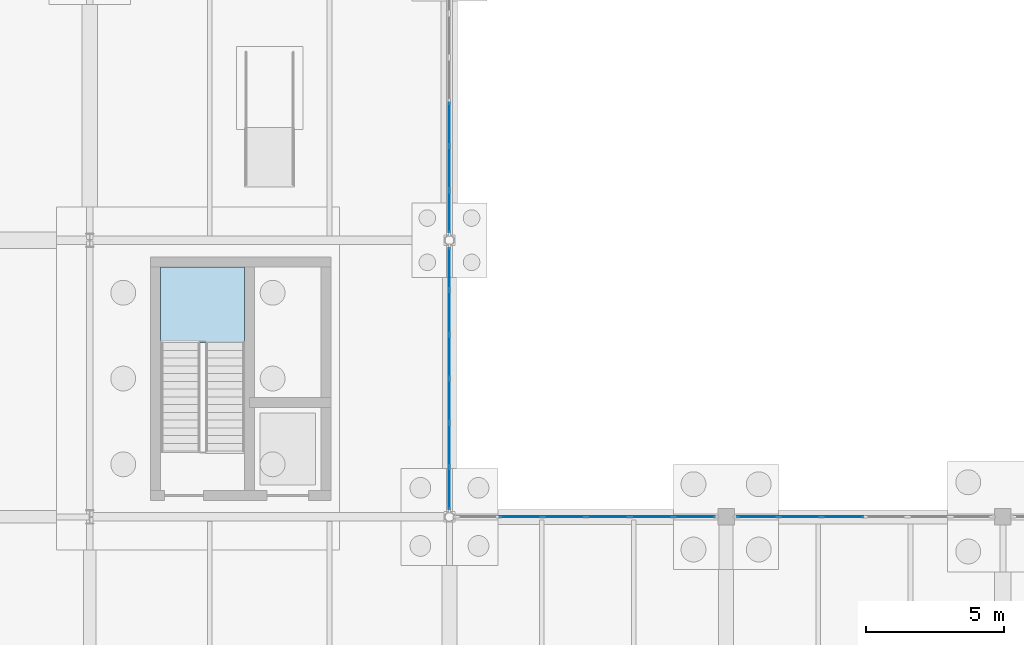
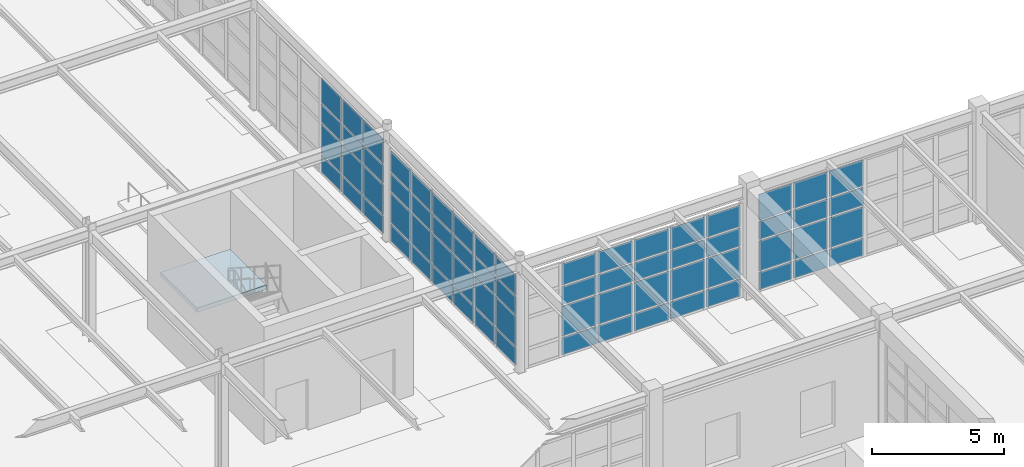
# One storey, part 96 of 145: 68 plates, 1 slab, 5 elements without a shape of their own.
"""IFC4 building model written with IfcOpenShell, lengths in metres."""

from ifc_helpers import new_model, si_unit, direction, frame, origin, origin_2d, place, context, subcontext, project, spatial, polyline, rectangle, outline, extrude, material, layer, layer_set, type_object, element, aggregate, save


model = new_model("IFC4")

# Units and contexts
model_context = context("Model", 3, precision=1e-05, world=origin(), true_north=direction((0.0, 1.0)))
body_context = subcontext(model_context, "Body", "Model", "MODEL_VIEW")
ifc_project = project(units=[si_unit("LENGTHUNIT", "METRE"), si_unit("AREAUNIT", "SQUARE_METRE"), si_unit("VOLUMEUNIT", "CUBIC_METRE"), si_unit("PLANEANGLEUNIT", "RADIAN"), si_unit("MASSUNIT", "GRAM", prefix="KILO"), si_unit("THERMODYNAMICTEMPERATUREUNIT", "KELVIN"), si_unit("POWERUNIT", "WATT")], contexts=[model_context])

# Site, building, storey
site_placement = place(None, origin())
site = spatial("IfcSite", under=ifc_project, at=site_placement, CompositionType="ELEMENT")
building_placement = place(site_placement, origin())
building = spatial("IfcBuilding", under=site, at=building_placement, Name="Korenveer Ferry Terminal", CompositionType="ELEMENT")
storey_placement = place(building_placement, origin())
storey = spatial("IfcBuildingStorey", under=building, at=storey_placement, Name="L00", CompositionType="ELEMENT", Elevation=0.0)

# Curtain wall, plates
ifc_material_1 = material(Name="Unitised bronze-and-glass curtain wall", Category="glass")
ifc_layer_1 = layer(ifc_material_1, 0.219970703125)
ifc_layer_set_1 = layer_set([ifc_layer_1], Name="Unitised bronze-and-glass curtain wall")
curtain_wall_type_1 = type_object("IfcCurtainWallType", Name="ENV-CW-12", PredefinedType="USERDEFINED", material=ifc_layer_set_1)
curtain_wall_1_placement = place(storey_placement, frame((136.207763671875, 80.0, 0.0)))
curtain_wall_1 = element("IfcCurtainWall", 1, at=curtain_wall_1_placement, inside=storey, type_object=curtain_wall_type_1, Name="Lancet curtain wall CWX-L00-X136-146-Y80-80", ObjectType="UNITISED CURTAIN WALL", PredefinedType="USERDEFINED")
ifc_material_2 = material(Name="Acoustic laminated marine glazing", Category="glass")
ifc_layer_2 = layer(ifc_material_2, 0.035888671875)
ifc_layer_set_2 = layer_set([ifc_layer_2], Name="Acoustic laminated marine glazing")
plate_type = type_object("IfcPlateType", Name="ENV-CWP-GLZ36", PredefinedType="CURTAIN_PANEL", material=ifc_layer_set_2)
plate_1_placement = place(storey_placement, frame((138.5732421875, 80.0, 0.074951171875), z_axis=(0.0, 0.0, 1.0), x_axis=(1.0, 0.0, 0.0)))
plate_1 = element("IfcPlate", 2, at=plate_1_placement, type_object=plate_type, Name="CW-12 panel 2.1", PredefinedType="CURTAIN_PANEL", context=body_context, shape_type="SweptSolid", body=[
    extrude(rectangle(XDim=1.501953125, YDim=0.035888671875, at=origin_2d()), origin(), (0.0, 0.0, 1.0), 0.78759765625),
])
plate_2_placement = place(storey_placement, frame((138.5732421875, 80.0, 0.9375), z_axis=(0.0, 0.0, 1.0), x_axis=(1.0, 0.0, 0.0)))
plate_2 = element("IfcPlate", 3, at=plate_2_placement, type_object=plate_type, Name="CW-12 panel 2.2", PredefinedType="CURTAIN_PANEL", context=body_context, shape_type="SweptSolid", body=[
    extrude(rectangle(XDim=1.501953125, YDim=0.035888671875, at=origin_2d()), origin(), (0.0, 0.0, 1.0), 1.375),
])
plate_3_placement = place(storey_placement, frame((138.5732421875, 80.0, 2.3876953125), z_axis=(0.0, 0.0, 1.0), x_axis=(1.0, 0.0, 0.0)))
plate_3 = element("IfcPlate", 4, at=plate_3_placement, type_object=plate_type, Name="CW-12 panel 2.3", PredefinedType="CURTAIN_PANEL", context=body_context, shape_type="SweptSolid", body=[
    extrude(rectangle(XDim=1.501953125, YDim=0.035888671875, at=origin_2d()), origin(), (0.0, 0.0, 1.0), 0.824951171875),
])
plate_4_placement = place(storey_placement, frame((138.5732421875, 80.0, 3.28759765625), z_axis=(0.0, 0.0, 1.0), x_axis=(1.0, 0.0, 0.0)))
plate_4 = element("IfcPlate", 5, at=plate_4_placement, type_object=plate_type, Name="CW-12 panel 2.4", PredefinedType="CURTAIN_PANEL", context=body_context, shape_type="SweptSolid", body=[
    extrude(rectangle(XDim=1.501953125, YDim=0.035888671875, at=origin_2d()), origin(), (0.0, 0.0, 1.0), 0.9775390625),
])
plate_5_placement = place(storey_placement, frame((140.150390625, 80.0, 0.074951171875), z_axis=(0.0, 0.0, 1.0), x_axis=(1.0, 0.0, 0.0)))
plate_5 = element("IfcPlate", 6, at=plate_5_placement, type_object=plate_type, Name="CW-12 panel 3.1", PredefinedType="CURTAIN_PANEL", context=body_context, shape_type="SweptSolid", body=[
    extrude(rectangle(XDim=1.501953125, YDim=0.035888671875, at=origin_2d()), origin(), (0.0, 0.0, 1.0), 0.78759765625),
])
plate_6_placement = place(storey_placement, frame((140.150390625, 80.0, 0.9375), z_axis=(0.0, 0.0, 1.0), x_axis=(1.0, 0.0, 0.0)))
plate_6 = element("IfcPlate", 7, at=plate_6_placement, type_object=plate_type, Name="CW-12 panel 3.2", PredefinedType="CURTAIN_PANEL", context=body_context, shape_type="SweptSolid", body=[
    extrude(rectangle(XDim=1.501953125, YDim=0.035888671875, at=origin_2d()), origin(), (0.0, 0.0, 1.0), 1.375),
])
plate_7_placement = place(storey_placement, frame((140.150390625, 80.0, 2.3876953125), z_axis=(0.0, 0.0, 1.0), x_axis=(1.0, 0.0, 0.0)))
plate_7 = element("IfcPlate", 8, at=plate_7_placement, type_object=plate_type, Name="CW-12 panel 3.3", PredefinedType="CURTAIN_PANEL", context=body_context, shape_type="SweptSolid", body=[
    extrude(rectangle(XDim=1.501953125, YDim=0.035888671875, at=origin_2d()), origin(), (0.0, 0.0, 1.0), 0.824951171875),
])
plate_8_placement = place(storey_placement, frame((140.150390625, 80.0, 3.28759765625), z_axis=(0.0, 0.0, 1.0), x_axis=(1.0, 0.0, 0.0)))
plate_8 = element("IfcPlate", 9, at=plate_8_placement, type_object=plate_type, Name="CW-12 panel 3.4", PredefinedType="CURTAIN_PANEL", context=body_context, shape_type="SweptSolid", body=[
    extrude(rectangle(XDim=1.501953125, YDim=0.035888671875, at=origin_2d()), origin(), (0.0, 0.0, 1.0), 0.9775390625),
])
plate_9_placement = place(storey_placement, frame((141.727294921875, 80.0, 0.074951171875), z_axis=(0.0, 0.0, 1.0), x_axis=(1.0, 0.0, 0.0)))
plate_9 = element("IfcPlate", 10, at=plate_9_placement, type_object=plate_type, Name="CW-12 panel 4.1", PredefinedType="CURTAIN_PANEL", context=body_context, shape_type="SweptSolid", body=[
    extrude(rectangle(XDim=1.501953125, YDim=0.035888671875, at=origin_2d()), origin(), (0.0, 0.0, 1.0), 0.78759765625),
])
plate_10_placement = place(storey_placement, frame((141.727294921875, 80.0, 0.9375), z_axis=(0.0, 0.0, 1.0), x_axis=(1.0, 0.0, 0.0)))
plate_10 = element("IfcPlate", 11, at=plate_10_placement, type_object=plate_type, Name="CW-12 panel 4.2", PredefinedType="CURTAIN_PANEL", context=body_context, shape_type="SweptSolid", body=[
    extrude(rectangle(XDim=1.501953125, YDim=0.035888671875, at=origin_2d()), origin(), (0.0, 0.0, 1.0), 1.375),
])
plate_11_placement = place(storey_placement, frame((141.727294921875, 80.0, 2.3876953125), z_axis=(0.0, 0.0, 1.0), x_axis=(1.0, 0.0, 0.0)))
plate_11 = element("IfcPlate", 12, at=plate_11_placement, type_object=plate_type, Name="CW-12 panel 4.3", PredefinedType="CURTAIN_PANEL", context=body_context, shape_type="SweptSolid", body=[
    extrude(rectangle(XDim=1.501953125, YDim=0.035888671875, at=origin_2d()), origin(), (0.0, 0.0, 1.0), 0.824951171875),
])
plate_12_placement = place(storey_placement, frame((141.727294921875, 80.0, 3.28759765625), z_axis=(0.0, 0.0, 1.0), x_axis=(1.0, 0.0, 0.0)))
plate_12 = element("IfcPlate", 13, at=plate_12_placement, type_object=plate_type, Name="CW-12 panel 4.4", PredefinedType="CURTAIN_PANEL", context=body_context, shape_type="SweptSolid", body=[
    extrude(rectangle(XDim=1.501953125, YDim=0.035888671875, at=origin_2d()), origin(), (0.0, 0.0, 1.0), 0.9775390625),
])
plate_13_placement = place(storey_placement, frame((143.304443359375, 80.0, 0.074951171875), z_axis=(0.0, 0.0, 1.0), x_axis=(1.0, 0.0, 0.0)))
plate_13 = element("IfcPlate", 14, at=plate_13_placement, type_object=plate_type, Name="CW-12 panel 5.1", PredefinedType="CURTAIN_PANEL", context=body_context, shape_type="SweptSolid", body=[
    extrude(rectangle(XDim=1.501953125, YDim=0.035888671875, at=origin_2d()), origin(), (0.0, 0.0, 1.0), 0.78759765625),
])
plate_14_placement = place(storey_placement, frame((143.304443359375, 80.0, 0.9375), z_axis=(0.0, 0.0, 1.0), x_axis=(1.0, 0.0, 0.0)))
plate_14 = element("IfcPlate", 15, at=plate_14_placement, type_object=plate_type, Name="CW-12 panel 5.2", PredefinedType="CURTAIN_PANEL", context=body_context, shape_type="SweptSolid", body=[
    extrude(rectangle(XDim=1.501953125, YDim=0.035888671875, at=origin_2d()), origin(), (0.0, 0.0, 1.0), 1.375),
])
plate_15_placement = place(storey_placement, frame((143.304443359375, 80.0, 2.3876953125), z_axis=(0.0, 0.0, 1.0), x_axis=(1.0, 0.0, 0.0)))
plate_15 = element("IfcPlate", 16, at=plate_15_placement, type_object=plate_type, Name="CW-12 panel 5.3", PredefinedType="CURTAIN_PANEL", context=body_context, shape_type="SweptSolid", body=[
    extrude(rectangle(XDim=1.501953125, YDim=0.035888671875, at=origin_2d()), origin(), (0.0, 0.0, 1.0), 0.824951171875),
])
plate_16_placement = place(storey_placement, frame((143.304443359375, 80.0, 3.28759765625), z_axis=(0.0, 0.0, 1.0), x_axis=(1.0, 0.0, 0.0)))
plate_16 = element("IfcPlate", 17, at=plate_16_placement, type_object=plate_type, Name="CW-12 panel 5.4", PredefinedType="CURTAIN_PANEL", context=body_context, shape_type="SweptSolid", body=[
    extrude(rectangle(XDim=1.501953125, YDim=0.035888671875, at=origin_2d()), origin(), (0.0, 0.0, 1.0), 0.9775390625),
])
plate_17_placement = place(storey_placement, frame((144.86279296875, 80.0, 0.074951171875), z_axis=(0.0, 0.0, 1.0), x_axis=(1.0, 0.0, 0.0)))
plate_17 = element("IfcPlate", 18, at=plate_17_placement, type_object=plate_type, Name="CW-12 panel 6.1", PredefinedType="CURTAIN_PANEL", context=body_context, shape_type="SweptSolid", body=[
    extrude(rectangle(XDim=1.464599609375, YDim=0.035888671875, at=origin_2d()), origin(), (0.0, 0.0, 1.0), 0.78759765625),
])
plate_18_placement = place(storey_placement, frame((144.86279296875, 80.0, 0.9375), z_axis=(0.0, 0.0, 1.0), x_axis=(1.0, 0.0, 0.0)))
plate_18 = element("IfcPlate", 19, at=plate_18_placement, type_object=plate_type, Name="CW-12 panel 6.2", PredefinedType="CURTAIN_PANEL", context=body_context, shape_type="SweptSolid", body=[
    extrude(rectangle(XDim=1.464599609375, YDim=0.035888671875, at=origin_2d()), origin(), (0.0, 0.0, 1.0), 1.375),
])
plate_19_placement = place(storey_placement, frame((144.86279296875, 80.0, 2.3876953125), z_axis=(0.0, 0.0, 1.0), x_axis=(1.0, 0.0, 0.0)))
plate_19 = element("IfcPlate", 20, at=plate_19_placement, type_object=plate_type, Name="CW-12 panel 6.3", PredefinedType="CURTAIN_PANEL", context=body_context, shape_type="SweptSolid", body=[
    extrude(rectangle(XDim=1.464599609375, YDim=0.035888671875, at=origin_2d()), origin(), (0.0, 0.0, 1.0), 0.824951171875),
])
plate_20_placement = place(storey_placement, frame((144.86279296875, 80.0, 3.28759765625), z_axis=(0.0, 0.0, 1.0), x_axis=(1.0, 0.0, 0.0)))
plate_20 = element("IfcPlate", 21, at=plate_20_placement, type_object=plate_type, Name="CW-12 panel 6.4", PredefinedType="CURTAIN_PANEL", context=body_context, shape_type="SweptSolid", body=[
    extrude(rectangle(XDim=1.464599609375, YDim=0.035888671875, at=origin_2d()), origin(), (0.0, 0.0, 1.0), 0.9775390625),
])
aggregate(curtain_wall_1, [plate_1, plate_2, plate_3, plate_4, plate_5, plate_6, plate_7, plate_8, plate_9, plate_10, plate_11, plate_12, plate_13, plate_14, plate_15, plate_16, plate_17, plate_18, plate_19, plate_20])

ifc_layer_3 = layer(ifc_material_1, 0.219970703125)
ifc_layer_set_3 = layer_set([ifc_layer_3], Name="Unitised bronze-and-glass curtain wall")
curtain_wall_type_2 = type_object("IfcCurtainWallType", Name="ENV-CW-10", PredefinedType="USERDEFINED", material=ifc_layer_set_3)
curtain_wall_2_placement = place(storey_placement, frame((146.330078125, 80.0, 0.0)))
curtain_wall_2 = element("IfcCurtainWall", 22, at=curtain_wall_2_placement, inside=storey, type_object=curtain_wall_type_2, Name="Lancet curtain wall CWX-L00-X146-156-Y80-80", ObjectType="UNITISED CURTAIN WALL", PredefinedType="USERDEFINED")
plate_21_placement = place(storey_placement, frame((147.127197265625, 80.0, 0.074951171875), z_axis=(0.0, 0.0, 1.0), x_axis=(1.0, 0.0, 0.0)))
plate_21 = element("IfcPlate", 23, at=plate_21_placement, type_object=plate_type, Name="CW-10 panel 1.1", PredefinedType="CURTAIN_PANEL", context=body_context, shape_type="SweptSolid", body=[
    extrude(rectangle(XDim=1.444091796875, YDim=0.035888671875, at=origin_2d()), origin(), (0.0, 0.0, 1.0), 0.78759765625),
])
plate_22_placement = place(storey_placement, frame((147.127197265625, 80.0, 0.9375), z_axis=(0.0, 0.0, 1.0), x_axis=(1.0, 0.0, 0.0)))
plate_22 = element("IfcPlate", 24, at=plate_22_placement, type_object=plate_type, Name="CW-10 panel 1.2", PredefinedType="CURTAIN_PANEL", context=body_context, shape_type="SweptSolid", body=[
    extrude(rectangle(XDim=1.444091796875, YDim=0.035888671875, at=origin_2d()), origin(), (0.0, 0.0, 1.0), 1.375),
])
plate_23_placement = place(storey_placement, frame((147.127197265625, 80.0, 2.3876953125), z_axis=(0.0, 0.0, 1.0), x_axis=(1.0, 0.0, 0.0)))
plate_23 = element("IfcPlate", 25, at=plate_23_placement, type_object=plate_type, Name="CW-10 panel 1.3", PredefinedType="CURTAIN_PANEL", context=body_context, shape_type="SweptSolid", body=[
    extrude(rectangle(XDim=1.444091796875, YDim=0.035888671875, at=origin_2d()), origin(), (0.0, 0.0, 1.0), 0.824951171875),
])
plate_24_placement = place(storey_placement, frame((147.127197265625, 80.0, 3.28759765625), z_axis=(0.0, 0.0, 1.0), x_axis=(1.0, 0.0, 0.0)))
plate_24 = element("IfcPlate", 26, at=plate_24_placement, type_object=plate_type, Name="CW-10 panel 1.4", PredefinedType="CURTAIN_PANEL", context=body_context, shape_type="SweptSolid", body=[
    extrude(rectangle(XDim=1.444091796875, YDim=0.035888671875, at=origin_2d()), origin(), (0.0, 0.0, 1.0), 1.177490234375),
])
plate_25_placement = place(storey_placement, frame((148.6650390625, 80.0, 0.074951171875), z_axis=(0.0, 0.0, 1.0), x_axis=(1.0, 0.0, 0.0)))
plate_25 = element("IfcPlate", 27, at=plate_25_placement, type_object=plate_type, Name="CW-10 panel 2.1", PredefinedType="CURTAIN_PANEL", context=body_context, shape_type="SweptSolid", body=[
    extrude(rectangle(XDim=1.481689453125, YDim=0.035888671875, at=origin_2d()), origin(), (0.0, 0.0, 1.0), 0.78759765625),
])
plate_26_placement = place(storey_placement, frame((148.6650390625, 80.0, 0.9375), z_axis=(0.0, 0.0, 1.0), x_axis=(1.0, 0.0, 0.0)))
plate_26 = element("IfcPlate", 28, at=plate_26_placement, type_object=plate_type, Name="CW-10 panel 2.2", PredefinedType="CURTAIN_PANEL", context=body_context, shape_type="SweptSolid", body=[
    extrude(rectangle(XDim=1.481689453125, YDim=0.035888671875, at=origin_2d()), origin(), (0.0, 0.0, 1.0), 1.375),
])
plate_27_placement = place(storey_placement, frame((148.6650390625, 80.0, 2.3876953125), z_axis=(0.0, 0.0, 1.0), x_axis=(1.0, 0.0, 0.0)))
plate_27 = element("IfcPlate", 29, at=plate_27_placement, type_object=plate_type, Name="CW-10 panel 2.3", PredefinedType="CURTAIN_PANEL", context=body_context, shape_type="SweptSolid", body=[
    extrude(rectangle(XDim=1.481689453125, YDim=0.035888671875, at=origin_2d()), origin(), (0.0, 0.0, 1.0), 0.824951171875),
])
plate_28_placement = place(storey_placement, frame((148.6650390625, 80.0, 3.28759765625), z_axis=(0.0, 0.0, 1.0), x_axis=(1.0, 0.0, 0.0)))
plate_28 = element("IfcPlate", 30, at=plate_28_placement, type_object=plate_type, Name="CW-10 panel 2.4", PredefinedType="CURTAIN_PANEL", context=body_context, shape_type="SweptSolid", body=[
    extrude(rectangle(XDim=1.481689453125, YDim=0.035888671875, at=origin_2d()), origin(), (0.0, 0.0, 1.0), 1.177490234375),
])
plate_29_placement = place(storey_placement, frame((150.2216796875, 80.0, 0.074951171875), z_axis=(0.0, 0.0, 1.0), x_axis=(1.0, 0.0, 0.0)))
plate_29 = element("IfcPlate", 31, at=plate_29_placement, type_object=plate_type, Name="CW-10 panel 3.1", PredefinedType="CURTAIN_PANEL", context=body_context, shape_type="SweptSolid", body=[
    extrude(rectangle(XDim=1.481689453125, YDim=0.035888671875, at=origin_2d()), origin(), (0.0, 0.0, 1.0), 0.78759765625),
])
plate_30_placement = place(storey_placement, frame((150.2216796875, 80.0, 0.9375), z_axis=(0.0, 0.0, 1.0), x_axis=(1.0, 0.0, 0.0)))
plate_30 = element("IfcPlate", 32, at=plate_30_placement, type_object=plate_type, Name="CW-10 panel 3.2", PredefinedType="CURTAIN_PANEL", context=body_context, shape_type="SweptSolid", body=[
    extrude(rectangle(XDim=1.481689453125, YDim=0.035888671875, at=origin_2d()), origin(), (0.0, 0.0, 1.0), 1.375),
])
plate_31_placement = place(storey_placement, frame((150.2216796875, 80.0, 2.3876953125), z_axis=(0.0, 0.0, 1.0), x_axis=(1.0, 0.0, 0.0)))
plate_31 = element("IfcPlate", 33, at=plate_31_placement, type_object=plate_type, Name="CW-10 panel 3.3", PredefinedType="CURTAIN_PANEL", context=body_context, shape_type="SweptSolid", body=[
    extrude(rectangle(XDim=1.481689453125, YDim=0.035888671875, at=origin_2d()), origin(), (0.0, 0.0, 1.0), 0.824951171875),
])
plate_32_placement = place(storey_placement, frame((150.2216796875, 80.0, 3.28759765625), z_axis=(0.0, 0.0, 1.0), x_axis=(1.0, 0.0, 0.0)))
plate_32 = element("IfcPlate", 34, at=plate_32_placement, type_object=plate_type, Name="CW-10 panel 3.4", PredefinedType="CURTAIN_PANEL", context=body_context, shape_type="SweptSolid", body=[
    extrude(rectangle(XDim=1.481689453125, YDim=0.035888671875, at=origin_2d()), origin(), (0.0, 0.0, 1.0), 1.177490234375),
])
aggregate(curtain_wall_2, [plate_21, plate_22, plate_23, plate_24, plate_25, plate_26, plate_27, plate_28, plate_29, plate_30, plate_31, plate_32])

ifc_layer_4 = layer(ifc_material_1, 0.219970703125)
ifc_layer_set_4 = layer_set([ifc_layer_4], Name="Unitised bronze-and-glass curtain wall")
curtain_wall_type_3 = type_object("IfcCurtainWallType", Name="ENV-CW-22", PredefinedType="USERDEFINED", material=ifc_layer_set_4)
curtain_wall_3_placement = place(storey_placement, frame((136.0, 89.792236328125, 0.0)))
curtain_wall_3 = element("IfcCurtainWall", 35, at=curtain_wall_3_placement, inside=storey, type_object=curtain_wall_type_3, Name="Lancet curtain wall CWX-L00-X136-136-Y80-90", ObjectType="UNITISED CURTAIN WALL", PredefinedType="USERDEFINED")
plate_33_placement = place(storey_placement, frame((136.0, 88.974853515625, 0.074951171875), z_axis=(0.0, 0.0, 1.0), x_axis=(0.0, -1.0, 0.0)))
plate_33 = element("IfcPlate", 36, at=plate_33_placement, type_object=plate_type, Name="CW-22 panel 1.1", PredefinedType="CURTAIN_PANEL", context=body_context, shape_type="SweptSolid", body=[
    extrude(rectangle(XDim=1.48486328125, YDim=0.035888671875, at=origin_2d()), origin(), (0.0, 0.0, 1.0), 0.78759765625),
])
plate_34_placement = place(storey_placement, frame((136.0, 88.974853515625, 0.9375), z_axis=(0.0, 0.0, 1.0), x_axis=(0.0, -1.0, 0.0)))
plate_34 = element("IfcPlate", 37, at=plate_34_placement, type_object=plate_type, Name="CW-22 panel 1.2", PredefinedType="CURTAIN_PANEL", context=body_context, shape_type="SweptSolid", body=[
    extrude(rectangle(XDim=1.48486328125, YDim=0.035888671875, at=origin_2d()), origin(), (0.0, 0.0, 1.0), 1.375),
])
plate_35_placement = place(storey_placement, frame((136.0, 88.974853515625, 2.3876953125), z_axis=(0.0, 0.0, 1.0), x_axis=(0.0, -1.0, 0.0)))
plate_35 = element("IfcPlate", 38, at=plate_35_placement, type_object=plate_type, Name="CW-22 panel 1.3", PredefinedType="CURTAIN_PANEL", context=body_context, shape_type="SweptSolid", body=[
    extrude(rectangle(XDim=1.48486328125, YDim=0.035888671875, at=origin_2d()), origin(), (0.0, 0.0, 1.0), 0.824951171875),
])
plate_36_placement = place(storey_placement, frame((136.0, 88.974853515625, 3.28759765625), z_axis=(0.0, 0.0, 1.0), x_axis=(0.0, -1.0, 0.0)))
plate_36 = element("IfcPlate", 39, at=plate_36_placement, type_object=plate_type, Name="CW-22 panel 1.4", PredefinedType="CURTAIN_PANEL", context=body_context, shape_type="SweptSolid", body=[
    extrude(rectangle(XDim=1.48486328125, YDim=0.035888671875, at=origin_2d()), origin(), (0.0, 0.0, 1.0), 0.927490234375),
])
plate_37_placement = place(storey_placement, frame((136.0, 87.39599609375, 0.074951171875), z_axis=(0.0, 0.0, 1.0), x_axis=(0.0, -1.0, 0.0)))
plate_37 = element("IfcPlate", 40, at=plate_37_placement, type_object=plate_type, Name="CW-22 panel 2.1", PredefinedType="CURTAIN_PANEL", context=body_context, shape_type="SweptSolid", body=[
    extrude(rectangle(XDim=1.5224609375, YDim=0.035888671875, at=origin_2d()), origin(), (0.0, 0.0, 1.0), 0.78759765625),
])
plate_38_placement = place(storey_placement, frame((136.0, 87.39599609375, 0.9375), z_axis=(0.0, 0.0, 1.0), x_axis=(0.0, -1.0, 0.0)))
plate_38 = element("IfcPlate", 41, at=plate_38_placement, type_object=plate_type, Name="CW-22 panel 2.2", PredefinedType="CURTAIN_PANEL", context=body_context, shape_type="SweptSolid", body=[
    extrude(rectangle(XDim=1.5224609375, YDim=0.035888671875, at=origin_2d()), origin(), (0.0, 0.0, 1.0), 1.375),
])
plate_39_placement = place(storey_placement, frame((136.0, 87.39599609375, 2.3876953125), z_axis=(0.0, 0.0, 1.0), x_axis=(0.0, -1.0, 0.0)))
plate_39 = element("IfcPlate", 42, at=plate_39_placement, type_object=plate_type, Name="CW-22 panel 2.3", PredefinedType="CURTAIN_PANEL", context=body_context, shape_type="SweptSolid", body=[
    extrude(rectangle(XDim=1.5224609375, YDim=0.035888671875, at=origin_2d()), origin(), (0.0, 0.0, 1.0), 0.824951171875),
])
plate_40_placement = place(storey_placement, frame((136.0, 87.39599609375, 3.28759765625), z_axis=(0.0, 0.0, 1.0), x_axis=(0.0, -1.0, 0.0)))
plate_40 = element("IfcPlate", 43, at=plate_40_placement, type_object=plate_type, Name="CW-22 panel 2.4", PredefinedType="CURTAIN_PANEL", context=body_context, shape_type="SweptSolid", body=[
    extrude(rectangle(XDim=1.5224609375, YDim=0.035888671875, at=origin_2d()), origin(), (0.0, 0.0, 1.0), 0.927490234375),
])
plate_41_placement = place(storey_placement, frame((136.0, 85.798583984375, 0.074951171875), z_axis=(0.0, 0.0, 1.0), x_axis=(0.0, -1.0, 0.0)))
plate_41 = element("IfcPlate", 44, at=plate_41_placement, type_object=plate_type, Name="CW-22 panel 3.1", PredefinedType="CURTAIN_PANEL", context=body_context, shape_type="SweptSolid", body=[
    extrude(rectangle(XDim=1.5224609375, YDim=0.035888671875, at=origin_2d()), origin(), (0.0, 0.0, 1.0), 0.78759765625),
])
plate_42_placement = place(storey_placement, frame((136.0, 85.798583984375, 0.9375), z_axis=(0.0, 0.0, 1.0), x_axis=(0.0, -1.0, 0.0)))
plate_42 = element("IfcPlate", 45, at=plate_42_placement, type_object=plate_type, Name="CW-22 panel 3.2", PredefinedType="CURTAIN_PANEL", context=body_context, shape_type="SweptSolid", body=[
    extrude(rectangle(XDim=1.5224609375, YDim=0.035888671875, at=origin_2d()), origin(), (0.0, 0.0, 1.0), 1.375),
])
plate_43_placement = place(storey_placement, frame((136.0, 85.798583984375, 2.3876953125), z_axis=(0.0, 0.0, 1.0), x_axis=(0.0, -1.0, 0.0)))
plate_43 = element("IfcPlate", 46, at=plate_43_placement, type_object=plate_type, Name="CW-22 panel 3.3", PredefinedType="CURTAIN_PANEL", context=body_context, shape_type="SweptSolid", body=[
    extrude(rectangle(XDim=1.5224609375, YDim=0.035888671875, at=origin_2d()), origin(), (0.0, 0.0, 1.0), 0.824951171875),
])
plate_44_placement = place(storey_placement, frame((136.0, 85.798583984375, 3.28759765625), z_axis=(0.0, 0.0, 1.0), x_axis=(0.0, -1.0, 0.0)))
plate_44 = element("IfcPlate", 47, at=plate_44_placement, type_object=plate_type, Name="CW-22 panel 3.4", PredefinedType="CURTAIN_PANEL", context=body_context, shape_type="SweptSolid", body=[
    extrude(rectangle(XDim=1.5224609375, YDim=0.035888671875, at=origin_2d()), origin(), (0.0, 0.0, 1.0), 0.927490234375),
])
plate_45_placement = place(storey_placement, frame((136.0, 84.201416015625, 0.074951171875), z_axis=(0.0, 0.0, 1.0), x_axis=(0.0, -1.0, 0.0)))
plate_45 = element("IfcPlate", 48, at=plate_45_placement, type_object=plate_type, Name="CW-22 panel 4.1", PredefinedType="CURTAIN_PANEL", context=body_context, shape_type="SweptSolid", body=[
    extrude(rectangle(XDim=1.5224609375, YDim=0.035888671875, at=origin_2d()), origin(), (0.0, 0.0, 1.0), 0.78759765625),
])
plate_46_placement = place(storey_placement, frame((136.0, 84.201416015625, 0.9375), z_axis=(0.0, 0.0, 1.0), x_axis=(0.0, -1.0, 0.0)))
plate_46 = element("IfcPlate", 49, at=plate_46_placement, type_object=plate_type, Name="CW-22 panel 4.2", PredefinedType="CURTAIN_PANEL", context=body_context, shape_type="SweptSolid", body=[
    extrude(rectangle(XDim=1.5224609375, YDim=0.035888671875, at=origin_2d()), origin(), (0.0, 0.0, 1.0), 1.375),
])
plate_47_placement = place(storey_placement, frame((136.0, 84.201416015625, 2.3876953125), z_axis=(0.0, 0.0, 1.0), x_axis=(0.0, -1.0, 0.0)))
plate_47 = element("IfcPlate", 50, at=plate_47_placement, type_object=plate_type, Name="CW-22 panel 4.3", PredefinedType="CURTAIN_PANEL", context=body_context, shape_type="SweptSolid", body=[
    extrude(rectangle(XDim=1.5224609375, YDim=0.035888671875, at=origin_2d()), origin(), (0.0, 0.0, 1.0), 0.824951171875),
])
plate_48_placement = place(storey_placement, frame((136.0, 84.201416015625, 3.28759765625), z_axis=(0.0, 0.0, 1.0), x_axis=(0.0, -1.0, 0.0)))
plate_48 = element("IfcPlate", 51, at=plate_48_placement, type_object=plate_type, Name="CW-22 panel 4.4", PredefinedType="CURTAIN_PANEL", context=body_context, shape_type="SweptSolid", body=[
    extrude(rectangle(XDim=1.5224609375, YDim=0.035888671875, at=origin_2d()), origin(), (0.0, 0.0, 1.0), 0.927490234375),
])
plate_49_placement = place(storey_placement, frame((136.0, 82.60400390625, 0.074951171875), z_axis=(0.0, 0.0, 1.0), x_axis=(0.0, -1.0, 0.0)))
plate_49 = element("IfcPlate", 52, at=plate_49_placement, type_object=plate_type, Name="CW-22 panel 5.1", PredefinedType="CURTAIN_PANEL", context=body_context, shape_type="SweptSolid", body=[
    extrude(rectangle(XDim=1.5224609375, YDim=0.035888671875, at=origin_2d()), origin(), (0.0, 0.0, 1.0), 0.78759765625),
])
plate_50_placement = place(storey_placement, frame((136.0, 82.60400390625, 0.9375), z_axis=(0.0, 0.0, 1.0), x_axis=(0.0, -1.0, 0.0)))
plate_50 = element("IfcPlate", 53, at=plate_50_placement, type_object=plate_type, Name="CW-22 panel 5.2", PredefinedType="CURTAIN_PANEL", context=body_context, shape_type="SweptSolid", body=[
    extrude(rectangle(XDim=1.5224609375, YDim=0.035888671875, at=origin_2d()), origin(), (0.0, 0.0, 1.0), 1.375),
])
plate_51_placement = place(storey_placement, frame((136.0, 82.60400390625, 2.3876953125), z_axis=(0.0, 0.0, 1.0), x_axis=(0.0, -1.0, 0.0)))
plate_51 = element("IfcPlate", 54, at=plate_51_placement, type_object=plate_type, Name="CW-22 panel 5.3", PredefinedType="CURTAIN_PANEL", context=body_context, shape_type="SweptSolid", body=[
    extrude(rectangle(XDim=1.5224609375, YDim=0.035888671875, at=origin_2d()), origin(), (0.0, 0.0, 1.0), 0.824951171875),
])
plate_52_placement = place(storey_placement, frame((136.0, 82.60400390625, 3.28759765625), z_axis=(0.0, 0.0, 1.0), x_axis=(0.0, -1.0, 0.0)))
plate_52 = element("IfcPlate", 55, at=plate_52_placement, type_object=plate_type, Name="CW-22 panel 5.4", PredefinedType="CURTAIN_PANEL", context=body_context, shape_type="SweptSolid", body=[
    extrude(rectangle(XDim=1.5224609375, YDim=0.035888671875, at=origin_2d()), origin(), (0.0, 0.0, 1.0), 0.927490234375),
])
plate_53_placement = place(storey_placement, frame((136.0, 81.025146484375, 0.074951171875), z_axis=(0.0, 0.0, 1.0), x_axis=(0.0, -1.0, 0.0)))
plate_53 = element("IfcPlate", 56, at=plate_53_placement, type_object=plate_type, Name="CW-22 panel 6.1", PredefinedType="CURTAIN_PANEL", context=body_context, shape_type="SweptSolid", body=[
    extrude(rectangle(XDim=1.48486328125, YDim=0.035888671875, at=origin_2d()), origin(), (0.0, 0.0, 1.0), 0.78759765625),
])
plate_54_placement = place(storey_placement, frame((136.0, 81.025146484375, 0.9375), z_axis=(0.0, 0.0, 1.0), x_axis=(0.0, -1.0, 0.0)))
plate_54 = element("IfcPlate", 57, at=plate_54_placement, type_object=plate_type, Name="CW-22 panel 6.2", PredefinedType="CURTAIN_PANEL", context=body_context, shape_type="SweptSolid", body=[
    extrude(rectangle(XDim=1.48486328125, YDim=0.035888671875, at=origin_2d()), origin(), (0.0, 0.0, 1.0), 1.375),
])
plate_55_placement = place(storey_placement, frame((136.0, 81.025146484375, 2.3876953125), z_axis=(0.0, 0.0, 1.0), x_axis=(0.0, -1.0, 0.0)))
plate_55 = element("IfcPlate", 58, at=plate_55_placement, type_object=plate_type, Name="CW-22 panel 6.3", PredefinedType="CURTAIN_PANEL", context=body_context, shape_type="SweptSolid", body=[
    extrude(rectangle(XDim=1.48486328125, YDim=0.035888671875, at=origin_2d()), origin(), (0.0, 0.0, 1.0), 0.824951171875),
])
plate_56_placement = place(storey_placement, frame((136.0, 81.025146484375, 3.28759765625), z_axis=(0.0, 0.0, 1.0), x_axis=(0.0, -1.0, 0.0)))
plate_56 = element("IfcPlate", 59, at=plate_56_placement, type_object=plate_type, Name="CW-22 panel 6.4", PredefinedType="CURTAIN_PANEL", context=body_context, shape_type="SweptSolid", body=[
    extrude(rectangle(XDim=1.48486328125, YDim=0.035888671875, at=origin_2d()), origin(), (0.0, 0.0, 1.0), 0.927490234375),
])
aggregate(curtain_wall_3, [plate_33, plate_34, plate_35, plate_36, plate_37, plate_38, plate_39, plate_40, plate_41, plate_42, plate_43, plate_44, plate_45, plate_46, plate_47, plate_48, plate_49, plate_50, plate_51, plate_52, plate_53, plate_54, plate_55, plate_56])

ifc_layer_5 = layer(ifc_material_1, 0.219970703125)
ifc_layer_set_5 = layer_set([ifc_layer_5], Name="Unitised bronze-and-glass curtain wall")
curtain_wall_type_4 = type_object("IfcCurtainWallType", Name="ENV-CW-30", PredefinedType="USERDEFINED", material=ifc_layer_set_5)
curtain_wall_4_placement = place(storey_placement, frame((136.0, 99.792236328125, 0.0)))
curtain_wall_4 = element("IfcCurtainWall", 60, at=curtain_wall_4_placement, inside=storey, type_object=curtain_wall_type_4, Name="Lancet curtain wall CWX-L00-X136-136-Y90-100", ObjectType="UNITISED CURTAIN WALL", PredefinedType="USERDEFINED")
plate_57_placement = place(storey_placement, frame((136.0, 94.201416015625, 0.074951171875), z_axis=(0.0, 0.0, 1.0), x_axis=(0.0, -1.0, 0.0)))
plate_57 = element("IfcPlate", 61, at=plate_57_placement, type_object=plate_type, Name="CW-30 panel 4.1", PredefinedType="CURTAIN_PANEL", context=body_context, shape_type="SweptSolid", body=[
    extrude(rectangle(XDim=1.5224609375, YDim=0.035888671875, at=origin_2d()), origin(), (0.0, 0.0, 1.0), 0.78759765625),
])
plate_58_placement = place(storey_placement, frame((136.0, 94.201416015625, 0.9375), z_axis=(0.0, 0.0, 1.0), x_axis=(0.0, -1.0, 0.0)))
plate_58 = element("IfcPlate", 62, at=plate_58_placement, type_object=plate_type, Name="CW-30 panel 4.2", PredefinedType="CURTAIN_PANEL", context=body_context, shape_type="SweptSolid", body=[
    extrude(rectangle(XDim=1.5224609375, YDim=0.035888671875, at=origin_2d()), origin(), (0.0, 0.0, 1.0), 1.375),
])
plate_59_placement = place(storey_placement, frame((136.0, 94.201416015625, 2.3876953125), z_axis=(0.0, 0.0, 1.0), x_axis=(0.0, -1.0, 0.0)))
plate_59 = element("IfcPlate", 63, at=plate_59_placement, type_object=plate_type, Name="CW-30 panel 4.3", PredefinedType="CURTAIN_PANEL", context=body_context, shape_type="SweptSolid", body=[
    extrude(rectangle(XDim=1.5224609375, YDim=0.035888671875, at=origin_2d()), origin(), (0.0, 0.0, 1.0), 0.824951171875),
])
plate_60_placement = place(storey_placement, frame((136.0, 94.201416015625, 3.28759765625), z_axis=(0.0, 0.0, 1.0), x_axis=(0.0, -1.0, 0.0)))
plate_60 = element("IfcPlate", 64, at=plate_60_placement, type_object=plate_type, Name="CW-30 panel 4.4", PredefinedType="CURTAIN_PANEL", context=body_context, shape_type="SweptSolid", body=[
    extrude(rectangle(XDim=1.5224609375, YDim=0.035888671875, at=origin_2d()), origin(), (0.0, 0.0, 1.0), 1.12744140625),
])
plate_61_placement = place(storey_placement, frame((136.0, 92.60400390625, 0.074951171875), z_axis=(0.0, 0.0, 1.0), x_axis=(0.0, -1.0, 0.0)))
plate_61 = element("IfcPlate", 65, at=plate_61_placement, type_object=plate_type, Name="CW-30 panel 5.1", PredefinedType="CURTAIN_PANEL", context=body_context, shape_type="SweptSolid", body=[
    extrude(rectangle(XDim=1.5224609375, YDim=0.035888671875, at=origin_2d()), origin(), (0.0, 0.0, 1.0), 0.78759765625),
])
plate_62_placement = place(storey_placement, frame((136.0, 92.60400390625, 0.9375), z_axis=(0.0, 0.0, 1.0), x_axis=(0.0, -1.0, 0.0)))
plate_62 = element("IfcPlate", 66, at=plate_62_placement, type_object=plate_type, Name="CW-30 panel 5.2", PredefinedType="CURTAIN_PANEL", context=body_context, shape_type="SweptSolid", body=[
    extrude(rectangle(XDim=1.5224609375, YDim=0.035888671875, at=origin_2d()), origin(), (0.0, 0.0, 1.0), 1.375),
])
plate_63_placement = place(storey_placement, frame((136.0, 92.60400390625, 2.3876953125), z_axis=(0.0, 0.0, 1.0), x_axis=(0.0, -1.0, 0.0)))
plate_63 = element("IfcPlate", 67, at=plate_63_placement, type_object=plate_type, Name="CW-30 panel 5.3", PredefinedType="CURTAIN_PANEL", context=body_context, shape_type="SweptSolid", body=[
    extrude(rectangle(XDim=1.5224609375, YDim=0.035888671875, at=origin_2d()), origin(), (0.0, 0.0, 1.0), 0.824951171875),
])
plate_64_placement = place(storey_placement, frame((136.0, 92.60400390625, 3.28759765625), z_axis=(0.0, 0.0, 1.0), x_axis=(0.0, -1.0, 0.0)))
plate_64 = element("IfcPlate", 68, at=plate_64_placement, type_object=plate_type, Name="CW-30 panel 5.4", PredefinedType="CURTAIN_PANEL", context=body_context, shape_type="SweptSolid", body=[
    extrude(rectangle(XDim=1.5224609375, YDim=0.035888671875, at=origin_2d()), origin(), (0.0, 0.0, 1.0), 1.12744140625),
])
plate_65_placement = place(storey_placement, frame((136.0, 91.025146484375, 0.074951171875), z_axis=(0.0, 0.0, 1.0), x_axis=(0.0, -1.0, 0.0)))
plate_65 = element("IfcPlate", 69, at=plate_65_placement, type_object=plate_type, Name="CW-30 panel 6.1", PredefinedType="CURTAIN_PANEL", context=body_context, shape_type="SweptSolid", body=[
    extrude(rectangle(XDim=1.48486328125, YDim=0.035888671875, at=origin_2d()), origin(), (0.0, 0.0, 1.0), 0.78759765625),
])
plate_66_placement = place(storey_placement, frame((136.0, 91.025146484375, 0.9375), z_axis=(0.0, 0.0, 1.0), x_axis=(0.0, -1.0, 0.0)))
plate_66 = element("IfcPlate", 70, at=plate_66_placement, type_object=plate_type, Name="CW-30 panel 6.2", PredefinedType="CURTAIN_PANEL", context=body_context, shape_type="SweptSolid", body=[
    extrude(rectangle(XDim=1.48486328125, YDim=0.035888671875, at=origin_2d()), origin(), (0.0, 0.0, 1.0), 1.375),
])
plate_67_placement = place(storey_placement, frame((136.0, 91.025146484375, 2.3876953125), z_axis=(0.0, 0.0, 1.0), x_axis=(0.0, -1.0, 0.0)))
plate_67 = element("IfcPlate", 71, at=plate_67_placement, type_object=plate_type, Name="CW-30 panel 6.3", PredefinedType="CURTAIN_PANEL", context=body_context, shape_type="SweptSolid", body=[
    extrude(rectangle(XDim=1.48486328125, YDim=0.035888671875, at=origin_2d()), origin(), (0.0, 0.0, 1.0), 0.824951171875),
])
plate_68_placement = place(storey_placement, frame((136.0, 91.025146484375, 3.28759765625), z_axis=(0.0, 0.0, 1.0), x_axis=(0.0, -1.0, 0.0)))
plate_68 = element("IfcPlate", 72, at=plate_68_placement, type_object=plate_type, Name="CW-30 panel 6.4", PredefinedType="CURTAIN_PANEL", context=body_context, shape_type="SweptSolid", body=[
    extrude(rectangle(XDim=1.48486328125, YDim=0.035888671875, at=origin_2d()), origin(), (0.0, 0.0, 1.0), 1.12744140625),
])
aggregate(curtain_wall_4, [plate_57, plate_58, plate_59, plate_60, plate_61, plate_62, plate_63, plate_64, plate_65, plate_66, plate_67, plate_68])

# Stair, slab
ifc_material_3 = material(Name="Concrete C40/50", Category="concrete")
stair_type = type_object("IfcStairType", Name="INT-ST-07", PredefinedType="HALF_TURN_STAIR", material=ifc_material_3)
stair_placement = place(storey_placement, frame((127.889892578125, 82.3798828125, 0.0)))
stair = element("IfcStair", 73, at=stair_placement, inside=storey, type_object=stair_type, Name="L00 East Berth Pier Core K8", PredefinedType="HALF_TURN_STAIR")
ifc_layer_6 = layer(ifc_material_3, 0.199951171875)
ifc_layer_set_6 = layer_set([ifc_layer_6], Name="Concrete C40/50")
slab_type = type_object("IfcSlabType", Name="INT-SL-LAND200", PredefinedType="LANDING", material=ifc_layer_set_6)
slab_placement = place(storey_placement, frame((0.0, 0.0, 2.5)))
slab = element("IfcSlab", 74, at=slab_placement, type_object=slab_type, Name="ST08 landing 1", PredefinedType="LANDING", context=body_context, shape_type="SweptSolid", body=[
    extrude(outline(polyline([(128.60009765625, 86.300048828125), (128.60009765625, 89.0400390625), (125.56005859375, 89.0400390625), (125.56005859375, 86.300048828125), (128.60009765625, 86.300048828125)])), origin(), (0.0, 0.0, 1.0), 0.199951171875),
])
aggregate(stair, [slab])

save(model, "model.ifc")
